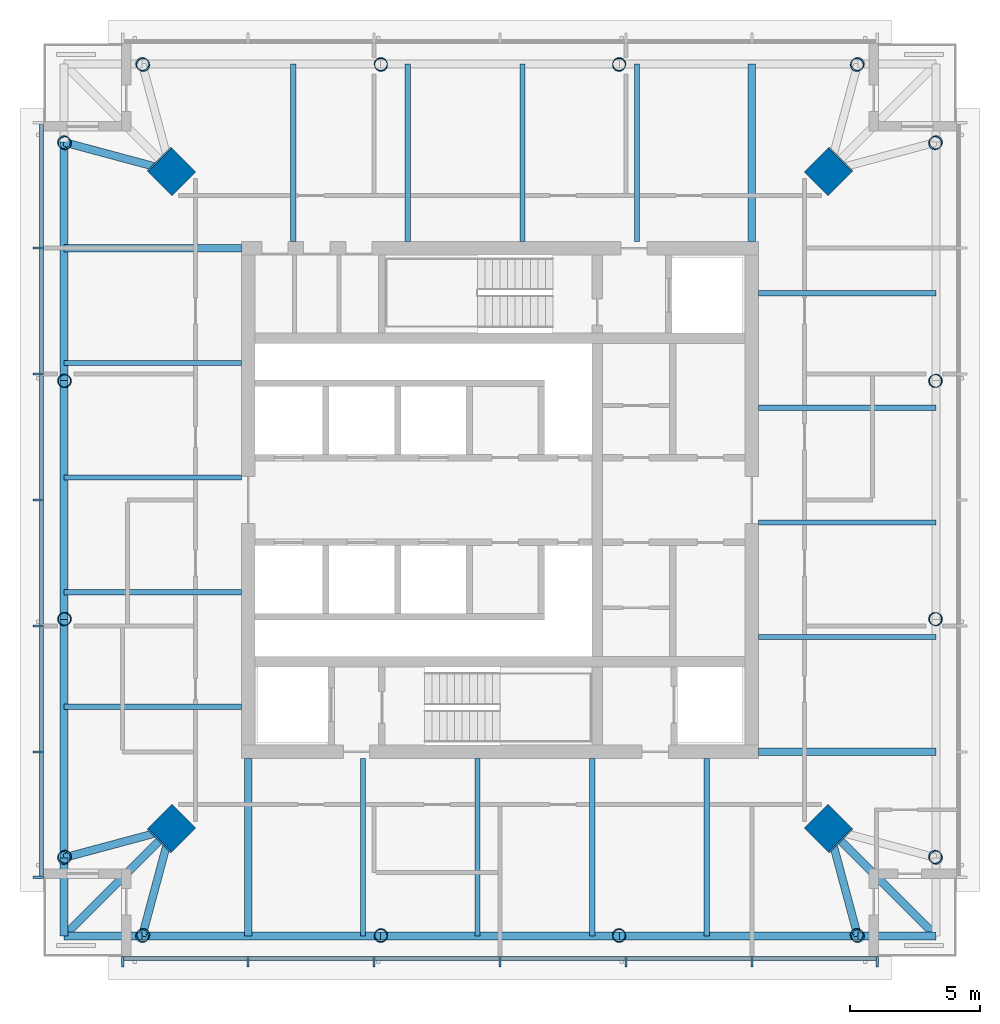
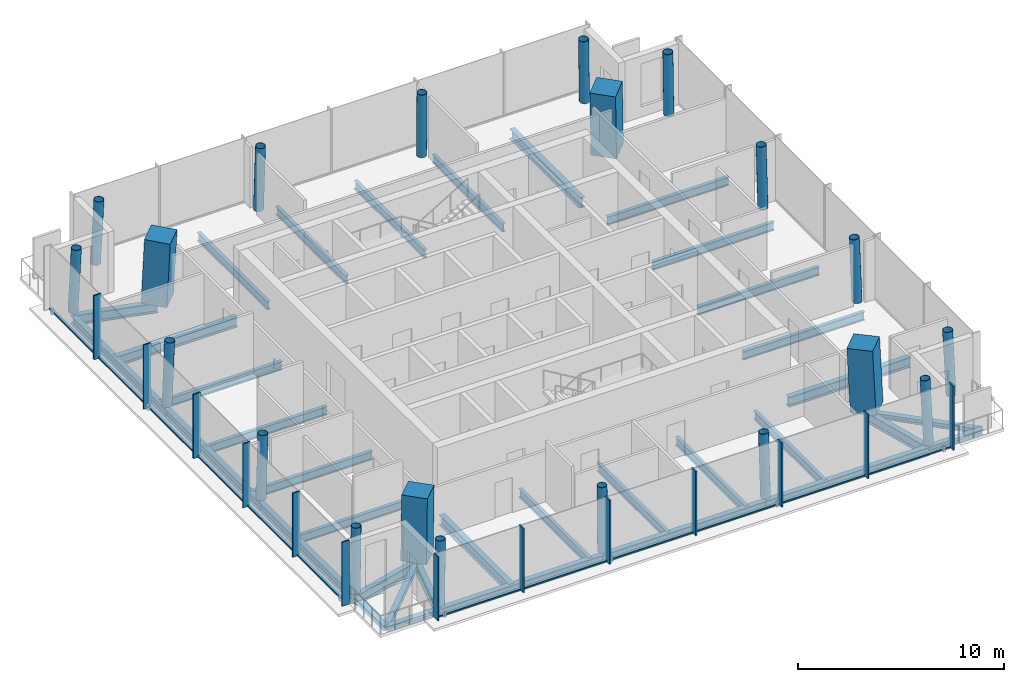
# One storey, part 1 of 11: 35 beams, 25 members, 20 columns, 2 elements without a shape of their own.
"""IFC4 building model written with IfcOpenShell, lengths in metres."""

from ifc_helpers import new_model, si_unit, direction, frame, origin, origin_2d, place, context, subcontext, project, spatial, rectangle, hollow_circle, i_section, extrude, material, material_profile, profile_set, type_object, element, aggregate, save


model = new_model("IFC4")

# Units and contexts
model_context = context("Model", 3, precision=1e-05, world=origin(), true_north=direction((0.0, 1.0)))
body_context = subcontext(model_context, "Body", "Model", "MODEL_VIEW")
ifc_project = project(units=[si_unit("LENGTHUNIT", "METRE"), si_unit("AREAUNIT", "SQUARE_METRE"), si_unit("VOLUMEUNIT", "CUBIC_METRE"), si_unit("PLANEANGLEUNIT", "RADIAN"), si_unit("MASSUNIT", "GRAM", prefix="KILO")], contexts=[model_context])

# Site, building, storey
site_placement = place(None, origin())
site = spatial("IfcSite", under=ifc_project, at=site_placement, CompositionType="ELEMENT")
building_placement = place(site_placement, origin())
building = spatial("IfcBuilding", under=site, at=building_placement, Name="Ostroluk Exchange", CompositionType="ELEMENT")
storey_placement = place(building_placement, frame((0.0, 0.0, 249.0)))
storey = spatial("IfcBuildingStorey", under=building, at=storey_placement, Name="L64", CompositionType="ELEMENT", Elevation=249.0)

# Columns
ifc_material_1 = material(Name="Concrete C50/60", Category="concrete")
ifc_material_profile_1 = material_profile(ifc_material_1, rectangle(XDim=1.300048828125, YDim=1.300048828125, at=origin_2d()), Name="RC 1300x1300")
ifc_profile_set_1 = profile_set([ifc_material_profile_1], Name="Concrete C50/60")
column_type_1 = type_object("IfcColumnType", Name="Mega column RC 1300x1300", PredefinedType="COLUMN", material=ifc_profile_set_1)
for number, where, z_axis, x_axis, name in (
    (1, (57.6142578125, 58.6142578125, 0.0), (-0.031898107953, -0.031898107953, 0.998981992539), (0.707106781187, -0.707106781187, 0.0), "T1 mega column NE"),
    (2, (32.3857421875, 58.6142578125, 0.0), (0.031898107953, -0.031898107953, 0.998981992539), (0.707106781187, 0.707106781187, 0.0), "T1 mega column NW"),
    (3, (32.3857421875, 33.3857421875, 0.0), (0.031898107953, 0.031898107953, 0.998981992539), (-0.707106781187, 0.707106781187, 0.0), "T1 mega column SW"),
    (4, (57.6142578125, 33.3857421875, 0.0), (-0.031898107953, 0.031898107953, 0.998981992539), (-0.707106781187, -0.707106781187, 0.0), "T1 mega column SE"),
):
    element("IfcColumn", number, at=place(storey_placement, frame(where, z_axis=z_axis, x_axis=x_axis)), inside=storey, type_object=column_type_1, Name=name, PredefinedType="COLUMN", context=body_context, shape_type="SweptSolid", body=[
        extrude(rectangle(XDim=1.300048828125, YDim=1.300048828125, at=origin_2d()), origin(), (0.0, 0.0, 1.0), 3.803955078125),
    ])
ifc_material_2 = material(Name="Steel S460", Category="steel")
ifc_material_profile_2 = material_profile(ifc_material_2, hollow_circle(Radius=0.25390625, WallThickness=0.02001953125, at=origin_2d()), Name="CHS 508x20")
ifc_profile_set_2 = profile_set([ifc_material_profile_2], Name="Steel S460")
column_type_2 = type_object("IfcColumnType", Name="Perimeter column CHS 508x20", PredefinedType="COLUMN", material=ifc_profile_set_2)
for number, where, z_axis, x_axis, name in (
    (5, (61.71435546875, 32.28564453125, 0.0), (-0.031962158256, 0.031962158256, 0.998977898093), (-0.707106781187, -0.707106781187, 0.0), "T1 east face column E0"),
    (6, (61.71435546875, 59.71435546875, 0.0), (-0.031962158256, -0.031962158256, 0.998977898093), (0.707106781187, -0.707106781187, 0.0), "T1 east face column E1"),
):
    element("IfcColumn", number, at=place(storey_placement, frame(where, z_axis=z_axis, x_axis=x_axis)), inside=storey, type_object=column_type_2, Name=name, PredefinedType="COLUMN", context=body_context, shape_type="SweptSolid", body=[
        extrude(hollow_circle(Radius=0.25390625, WallThickness=0.02001953125, at=origin_2d()), origin(), (0.0, 0.0, 1.0), 3.803955078125),
    ])
for number, where, z_axis, x_axis, name in (
    (7, (61.71435546875, 41.428466796875, 0.0), (-0.031976680097, 0.010658893366, 0.999431778523), (-0.316227766017, -0.948683298051, 0.0), "T1 east face column I1"),
    (8, (61.71435546875, 50.571533203125, 0.0), (-0.031976680097, -0.010658893366, 0.999431778523), (0.316227766017, -0.948683298051, 0.0), "T1 east face column I2"),
):
    element("IfcColumn", number, at=place(storey_placement, frame(where, z_axis=z_axis, x_axis=x_axis)), inside=storey, type_object=column_type_2, Name=name, PredefinedType="COLUMN", context=body_context, shape_type="SweptSolid", body=[
        extrude(hollow_circle(Radius=0.25390625, WallThickness=0.02001953125, at=origin_2d()), origin(), (0.0, 0.0, 1.0), 3.80224609375),
    ])
for number, where, z_axis, x_axis, name in (
    (9, (58.71435546875, 62.71435546875, 0.0), (-0.031962158256, -0.031962158256, 0.998977898093), (0.707106781187, -0.707106781187, 0.0), "T1 north face column E0"),
    (10, (31.28564453125, 62.71435546875, 0.0), (0.031962158256, -0.031962158256, 0.998977898093), (0.707106781187, 0.707106781187, 0.0), "T1 north face column E1"),
):
    element("IfcColumn", number, at=place(storey_placement, frame(where, z_axis=z_axis, x_axis=x_axis)), inside=storey, type_object=column_type_2, Name=name, PredefinedType="COLUMN", context=body_context, shape_type="SweptSolid", body=[
        extrude(hollow_circle(Radius=0.25390625, WallThickness=0.02001953125, at=origin_2d()), origin(), (0.0, 0.0, 1.0), 3.803955078125),
    ])
for number, where, z_axis, x_axis, name in (
    (11, (49.571533203125, 62.71435546875, 0.0), (-0.010658893366, -0.031976680097, 0.999431778523), (0.948683298051, -0.316227766017, 0.0), "T1 north face column I1"),
    (12, (40.428466796875, 62.71435546875, 0.0), (0.010658893366, -0.031976680097, 0.999431778523), (0.948683298051, 0.316227766017, 0.0), "T1 north face column I2"),
):
    element("IfcColumn", number, at=place(storey_placement, frame(where, z_axis=z_axis, x_axis=x_axis)), inside=storey, type_object=column_type_2, Name=name, PredefinedType="COLUMN", context=body_context, shape_type="SweptSolid", body=[
        extrude(hollow_circle(Radius=0.25390625, WallThickness=0.02001953125, at=origin_2d()), origin(), (0.0, 0.0, 1.0), 3.80224609375),
    ])
for number, where, z_axis, x_axis, name in (
    (13, (28.28564453125, 59.71435546875, 0.0), (0.031962158256, -0.031962158256, 0.998977898093), (0.707106781187, 0.707106781187, 0.0), "T1 west face column E0"),
    (14, (28.28564453125, 32.28564453125, 0.0), (0.031962158256, 0.031962158256, 0.998977898093), (-0.707106781187, 0.707106781187, 0.0), "T1 west face column E1"),
):
    element("IfcColumn", number, at=place(storey_placement, frame(where, z_axis=z_axis, x_axis=x_axis)), inside=storey, type_object=column_type_2, Name=name, PredefinedType="COLUMN", context=body_context, shape_type="SweptSolid", body=[
        extrude(hollow_circle(Radius=0.25390625, WallThickness=0.02001953125, at=origin_2d()), origin(), (0.0, 0.0, 1.0), 3.803955078125),
    ])
for number, where, z_axis, x_axis, name in (
    (15, (28.28564453125, 50.571533203125, 0.0), (0.031976680097, -0.010658893366, 0.999431778523), (0.316227766017, 0.948683298051, 0.0), "T1 west face column I1"),
    (16, (28.28564453125, 41.428466796875, 0.0), (0.031976680097, 0.010658893366, 0.999431778523), (-0.316227766017, 0.948683298051, 0.0), "T1 west face column I2"),
):
    element("IfcColumn", number, at=place(storey_placement, frame(where, z_axis=z_axis, x_axis=x_axis)), inside=storey, type_object=column_type_2, Name=name, PredefinedType="COLUMN", context=body_context, shape_type="SweptSolid", body=[
        extrude(hollow_circle(Radius=0.25390625, WallThickness=0.02001953125, at=origin_2d()), origin(), (0.0, 0.0, 1.0), 3.80224609375),
    ])
for number, where, z_axis, x_axis, name in (
    (17, (31.28564453125, 29.28564453125, 0.0), (0.031962158256, 0.031962158256, 0.998977898093), (-0.707106781187, 0.707106781187, 0.0), "T1 south face column E0"),
    (18, (58.71435546875, 29.28564453125, 0.0), (-0.031962158256, 0.031962158256, 0.998977898093), (-0.707106781187, -0.707106781187, 0.0), "T1 south face column E1"),
):
    element("IfcColumn", number, at=place(storey_placement, frame(where, z_axis=z_axis, x_axis=x_axis)), inside=storey, type_object=column_type_2, Name=name, PredefinedType="COLUMN", context=body_context, shape_type="SweptSolid", body=[
        extrude(hollow_circle(Radius=0.25390625, WallThickness=0.02001953125, at=origin_2d()), origin(), (0.0, 0.0, 1.0), 3.803955078125),
    ])
for number, where, z_axis, x_axis, name in (
    (19, (40.428466796875, 29.28564453125, 0.0), (0.010658893366, 0.031976680097, 0.999431778523), (-0.948683298051, 0.316227766017, 0.0), "T1 south face column I1"),
    (20, (49.571533203125, 29.28564453125, 0.0), (-0.010658893366, 0.031976680097, 0.999431778523), (-0.948683298051, -0.316227766017, 0.0), "T1 south face column I2"),
):
    element("IfcColumn", number, at=place(storey_placement, frame(where, z_axis=z_axis, x_axis=x_axis)), inside=storey, type_object=column_type_2, Name=name, PredefinedType="COLUMN", context=body_context, shape_type="SweptSolid", body=[
        extrude(hollow_circle(Radius=0.25390625, WallThickness=0.02001953125, at=origin_2d()), origin(), (0.0, 0.0, 1.0), 3.80224609375),
    ])

# Beams
ifc_material_3 = material(Name="Steel S355", Category="steel")
ifc_material_profile_3 = material_profile(ifc_material_3, i_section(OverallWidth=0.300048828125, OverallDepth=0.300048828125, WebThickness=0.010986328125, FlangeThickness=0.01904296875, FilletRadius=0.027099609375, at=origin_2d()), Name="HEB 300")
ifc_profile_set_3 = profile_set([ifc_material_profile_3], Name="Steel S355")
beam_type_1 = type_object("IfcBeamType", Name="Balcony beam HEB 300", PredefinedType="BEAM", material=ifc_profile_set_3)
for number, where, z_axis, x_axis, name in (
    (21, (28.28564453125, 32.28564453125, -0.330078125), (0.0, -1.0, 0.0), (1.0, 0.0, 0.0), "T1 west balcony beam a"),
    (22, (31.28564453125, 29.28564453125, -0.330078125), (-1.0, 0.0, 0.0), (0.0, -1.0, 0.0), "T1 west balcony beam b"),
):
    element("IfcBeam", number, at=place(storey_placement, frame(where, z_axis=z_axis, x_axis=x_axis)), inside=storey, type_object=beam_type_1, Name=name, PredefinedType="BEAM", context=body_context, shape_type="SweptSolid", body=[
        extrude(i_section(OverallWidth=0.300048828125, OverallDepth=0.300048828125, WebThickness=0.010986328125, FlangeThickness=0.01904296875, FilletRadius=0.027099609375, at=origin_2d()), origin(), (0.0, 0.0, 1.0), 3.0),
    ])
beam_1_placement = place(storey_placement, frame((32.3857421875, 33.3857421875, -0.330078125), z_axis=(-0.707106781187, -0.707106781187, 0.0), x_axis=(0.707106781187, -0.707106781187, 0.0)))
element("IfcBeam", 23, at=beam_1_placement, inside=storey, type_object=beam_type_1, Name="T1 west balcony beam c", PredefinedType="BEAM", context=body_context, shape_type="SweptSolid", body=[
    extrude(i_section(OverallWidth=0.300048828125, OverallDepth=0.300048828125, WebThickness=0.010986328125, FlangeThickness=0.01904296875, FilletRadius=0.027099609375, at=origin_2d()), origin(), (0.0, 0.0, 1.0), 5.79833984375),
])
beam_2_placement = place(storey_placement, frame((58.71435546875, 29.28564453125, -0.330078125), z_axis=(1.0, 0.0, 0.0), x_axis=(0.0, 1.0, 0.0)))
element("IfcBeam", 24, at=beam_2_placement, inside=storey, type_object=beam_type_1, Name="T1 south balcony beam a", PredefinedType="BEAM", context=body_context, shape_type="SweptSolid", body=[
    extrude(i_section(OverallWidth=0.300048828125, OverallDepth=0.300048828125, WebThickness=0.010986328125, FlangeThickness=0.01904296875, FilletRadius=0.027099609375, at=origin_2d()), origin(), (0.0, 0.0, 1.0), 3.0),
])
beam_3_placement = place(storey_placement, frame((57.6142578125, 33.3857421875, -0.330078125), z_axis=(0.707106781187, -0.707106781187, 0.0), x_axis=(0.707106781187, 0.707106781187, 0.0)))
element("IfcBeam", 25, at=beam_3_placement, inside=storey, type_object=beam_type_1, Name="T1 south balcony beam c", PredefinedType="BEAM", context=body_context, shape_type="SweptSolid", body=[
    extrude(i_section(OverallWidth=0.300048828125, OverallDepth=0.300048828125, WebThickness=0.010986328125, FlangeThickness=0.01904296875, FilletRadius=0.027099609375, at=origin_2d()), origin(), (0.0, 0.0, 1.0), 5.79833984375),
])
ifc_material_4 = material(Name="Steel S355", Category="steel")
ifc_material_profile_4 = material_profile(ifc_material_4, i_section(OverallWidth=0.300048828125, OverallDepth=0.60009765625, WebThickness=0.015380859375, FlangeThickness=0.030029296875, FilletRadius=0.027099609375, at=origin_2d()), Name="HEB 600")
ifc_profile_set_4 = profile_set([ifc_material_profile_4], Name="Steel S355")
beam_type_2 = type_object("IfcBeamType", Name="Corner edge beam HEB 600", PredefinedType="SPANDREL", material=ifc_profile_set_4)
for number, where, z_axis, x_axis, name in (
    (26, (32.3857421875, 58.6142578125, -0.47998046875), (-0.965838624319, 0.259144268261, 0.0), (-0.259144268261, -0.965838624319, 0.0), "T1 north corner edge beam b"),
    (27, (32.3857421875, 33.3857421875, -0.47998046875), (-0.965838624319, -0.259144268261, 0.0), (0.259144268261, -0.965838624319, 0.0), "T1 west corner edge beam a"),
    (28, (32.3857421875, 33.3857421875, -0.47998046875), (-0.259144268261, -0.965838624319, 0.0), (0.965838624319, -0.259144268261, 0.0), "T1 west corner edge beam b"),
    (29, (57.6142578125, 33.3857421875, -0.47998046875), (0.259144268261, -0.965838624319, 0.0), (0.965838624319, 0.259144268261, 0.0), "T1 south corner edge beam a"),
):
    element("IfcBeam", number, at=place(storey_placement, frame(where, z_axis=z_axis, x_axis=x_axis)), inside=storey, type_object=beam_type_2, Name=name, PredefinedType="SPANDREL", context=body_context, shape_type="SweptSolid", body=[
        extrude(i_section(OverallWidth=0.300048828125, OverallDepth=0.60009765625, WebThickness=0.015380859375, FlangeThickness=0.030029296875, FilletRadius=0.027099609375, at=origin_2d()), origin(), (0.0, 0.0, 1.0), 4.2451171875),
    ])
ifc_material_5 = material(Name="Steel S355", Category="steel")
ifc_material_profile_5 = material_profile(ifc_material_5, i_section(OverallWidth=0.199951171875, OverallDepth=0.5, WebThickness=0.01025390625, FlangeThickness=0.01611328125, FilletRadius=0.02099609375, at=origin_2d()), Name="IPE 500")
ifc_profile_set_5 = profile_set([ifc_material_profile_5], Name="Steel S355")
beam_type_3 = type_object("IfcBeamType", Name="Floor beam IPE 500", PredefinedType="BEAM", material=ifc_profile_set_5)
for number, where, z_axis, x_axis, name in (
    (30, (54.89990234375, 40.744140625, -0.429931640625), (1.0, 0.0, 0.0), (0.0, 1.0, 0.0), "T1 east floor beam 1"),
    (31, (54.89990234375, 45.13818359375, -0.429931640625), (1.0, 0.0, 0.0), (0.0, 1.0, 0.0), "T1 east floor beam 2"),
    (32, (54.89990234375, 49.5322265625, -0.429931640625), (1.0, 0.0, 0.0), (0.0, 1.0, 0.0), "T1 east floor beam 3"),
    (33, (54.89990234375, 53.92626953125, -0.429931640625), (1.0, 0.0, 0.0), (0.0, 1.0, 0.0), "T1 east floor beam 4"),
    (34, (50.255859375, 55.89990234375, -0.429931640625), (0.0, 1.0, 0.0), (-1.0, 0.0, 0.0), "T1 north floor beam 1"),
    (35, (45.86181640625, 55.89990234375, -0.429931640625), (0.0, 1.0, 0.0), (-1.0, 0.0, 0.0), "T1 north floor beam 2"),
    (36, (41.4677734375, 55.89990234375, -0.429931640625), (0.0, 1.0, 0.0), (-1.0, 0.0, 0.0), "T1 north floor beam 3"),
    (37, (37.07373046875, 55.89990234375, -0.429931640625), (0.0, 1.0, 0.0), (-1.0, 0.0, 0.0), "T1 north floor beam 4"),
    (38, (35.10009765625, 51.255859375, -0.429931640625), (-1.0, 0.0, 0.0), (0.0, -1.0, 0.0), "T1 west floor beam 1"),
    (39, (35.10009765625, 46.86181640625, -0.429931640625), (-1.0, 0.0, 0.0), (0.0, -1.0, 0.0), "T1 west floor beam 2"),
    (40, (35.10009765625, 42.4677734375, -0.429931640625), (-1.0, 0.0, 0.0), (0.0, -1.0, 0.0), "T1 west floor beam 3"),
    (41, (35.10009765625, 38.07373046875, -0.429931640625), (-1.0, 0.0, 0.0), (0.0, -1.0, 0.0), "T1 west floor beam 4"),
    (42, (39.744140625, 36.10009765625, -0.429931640625), (0.0, -1.0, 0.0), (1.0, 0.0, 0.0), "T1 south floor beam 1"),
    (43, (44.13818359375, 36.10009765625, -0.429931640625), (0.0, -1.0, 0.0), (1.0, 0.0, 0.0), "T1 south floor beam 2"),
    (44, (48.5322265625, 36.10009765625, -0.429931640625), (0.0, -1.0, 0.0), (1.0, 0.0, 0.0), "T1 south floor beam 3"),
    (45, (52.92626953125, 36.10009765625, -0.429931640625), (0.0, -1.0, 0.0), (1.0, 0.0, 0.0), "T1 south floor beam 4"),
):
    element("IfcBeam", number, at=place(storey_placement, frame(where, z_axis=z_axis, x_axis=x_axis)), inside=storey, type_object=beam_type_3, Name=name, PredefinedType="BEAM", context=body_context, shape_type="SweptSolid", body=[
        extrude(i_section(OverallWidth=0.199951171875, OverallDepth=0.5, WebThickness=0.01025390625, FlangeThickness=0.01611328125, FilletRadius=0.02099609375, at=origin_2d()), origin(), (0.0, 0.0, 1.0), 6.814453125),
    ])
ifc_material_6 = material(Name="Steel S355", Category="steel")
ifc_material_profile_6 = material_profile(ifc_material_6, i_section(OverallWidth=0.300048828125, OverallDepth=0.60009765625, WebThickness=0.015380859375, FlangeThickness=0.030029296875, FilletRadius=0.027099609375, at=origin_2d()), Name="HEB 600")
ifc_profile_set_6 = profile_set([ifc_material_profile_6], Name="Steel S355")
beam_type_4 = type_object("IfcBeamType", Name="Girder HEB 600", PredefinedType="BEAM", material=ifc_profile_set_6)
for number, where, z_axis, x_axis, name in (
    (46, (54.64990234375, 55.89990234375, -0.47998046875), (0.0, 1.0, 0.0), (-1.0, 0.0, 0.0), "T1 east girder"),
    (47, (35.10009765625, 55.64990234375, -0.47998046875), (-1.0, 0.0, 0.0), (0.0, -1.0, 0.0), "T1 north girder"),
    (48, (35.35009765625, 36.10009765625, -0.47998046875), (0.0, -1.0, 0.0), (1.0, 0.0, 0.0), "T1 west girder"),
    (49, (54.89990234375, 36.35009765625, -0.47998046875), (1.0, 0.0, 0.0), (0.0, 1.0, 0.0), "T1 south girder"),
):
    element("IfcBeam", number, at=place(storey_placement, frame(where, z_axis=z_axis, x_axis=x_axis)), inside=storey, type_object=beam_type_4, Name=name, PredefinedType="BEAM", context=body_context, shape_type="SweptSolid", body=[
        extrude(i_section(OverallWidth=0.300048828125, OverallDepth=0.60009765625, WebThickness=0.015380859375, FlangeThickness=0.030029296875, FilletRadius=0.027099609375, at=origin_2d()), origin(), (0.0, 0.0, 1.0), 6.814453125),
    ])
ifc_material_7 = material(Name="Steel S355", Category="steel")
ifc_material_profile_7 = material_profile(ifc_material_7, i_section(OverallWidth=0.300048828125, OverallDepth=0.5, WebThickness=0.014404296875, FlangeThickness=0.028076171875, FilletRadius=0.027099609375, at=origin_2d()), Name="HEB 500")
ifc_profile_set_7 = profile_set([ifc_material_profile_7], Name="Steel S355")
beam_type_5 = type_object("IfcBeamType", Name="Moment-connected edge beam HEB 500", PredefinedType="SPANDREL", material=ifc_profile_set_7)
beam_4_placement = place(storey_placement, frame((28.28564453125, 59.71435546875, -0.429931640625), z_axis=(0.0, -1.0, 0.0), x_axis=(1.0, 0.0, 0.0)))
element("IfcBeam", 50, at=beam_4_placement, inside=storey, type_object=beam_type_5, Name="T1 west edge beam 1", PredefinedType="SPANDREL", context=body_context, shape_type="SweptSolid", body=[
    extrude(i_section(OverallWidth=0.300048828125, OverallDepth=0.5, WebThickness=0.014404296875, FlangeThickness=0.028076171875, FilletRadius=0.027099609375, at=origin_2d()), origin(), (0.0, 0.0, 1.0), 9.142822265625),
])
beam_5_placement = place(storey_placement, frame((28.28564453125, 50.571533203125, -0.429931640625), z_axis=(0.0, -1.0, 0.0), x_axis=(1.0, 0.0, 0.0)))
element("IfcBeam", 51, at=beam_5_placement, inside=storey, type_object=beam_type_5, Name="T1 west edge beam 2", PredefinedType="SPANDREL", context=body_context, shape_type="SweptSolid", body=[
    extrude(i_section(OverallWidth=0.300048828125, OverallDepth=0.5, WebThickness=0.014404296875, FlangeThickness=0.028076171875, FilletRadius=0.027099609375, at=origin_2d()), origin(), (0.0, 0.0, 1.0), 9.14306640625),
])
for number, where, z_axis, x_axis, name in (
    (52, (28.28564453125, 41.428466796875, -0.429931640625), (0.0, -1.0, 0.0), (1.0, 0.0, 0.0), "T1 west edge beam 3"),
    (53, (31.28564453125, 29.28564453125, -0.429931640625), (1.0, 0.0, 0.0), (0.0, 1.0, 0.0), "T1 south edge beam 1"),
):
    element("IfcBeam", number, at=place(storey_placement, frame(where, z_axis=z_axis, x_axis=x_axis)), inside=storey, type_object=beam_type_5, Name=name, PredefinedType="SPANDREL", context=body_context, shape_type="SweptSolid", body=[
        extrude(i_section(OverallWidth=0.300048828125, OverallDepth=0.5, WebThickness=0.014404296875, FlangeThickness=0.028076171875, FilletRadius=0.027099609375, at=origin_2d()), origin(), (0.0, 0.0, 1.0), 9.142822265625),
    ])
beam_6_placement = place(storey_placement, frame((40.428466796875, 29.28564453125, -0.429931640625), z_axis=(1.0, 0.0, 0.0), x_axis=(0.0, 1.0, 0.0)))
element("IfcBeam", 54, at=beam_6_placement, inside=storey, type_object=beam_type_5, Name="T1 south edge beam 2", PredefinedType="SPANDREL", context=body_context, shape_type="SweptSolid", body=[
    extrude(i_section(OverallWidth=0.300048828125, OverallDepth=0.5, WebThickness=0.014404296875, FlangeThickness=0.028076171875, FilletRadius=0.027099609375, at=origin_2d()), origin(), (0.0, 0.0, 1.0), 9.14306640625),
])
beam_7_placement = place(storey_placement, frame((49.571533203125, 29.28564453125, -0.429931640625), z_axis=(1.0, 0.0, 0.0), x_axis=(0.0, 1.0, 0.0)))
element("IfcBeam", 55, at=beam_7_placement, inside=storey, type_object=beam_type_5, Name="T1 south edge beam 3", PredefinedType="SPANDREL", context=body_context, shape_type="SweptSolid", body=[
    extrude(i_section(OverallWidth=0.300048828125, OverallDepth=0.5, WebThickness=0.014404296875, FlangeThickness=0.028076171875, FilletRadius=0.027099609375, at=origin_2d()), origin(), (0.0, 0.0, 1.0), 9.142822265625),
])

# Curtain wall, members
ifc_material_8 = material(Name="Laminated clear glass", Category="glass")
curtain_wall_type = type_object("IfcCurtainWallType", Name="Office tower facade", PredefinedType="USERDEFINED", material=ifc_material_8)
curtain_wall_1_placement = place(storey_placement, origin())
curtain_wall_1 = element("IfcCurtainWall", 56, at=curtain_wall_1_placement, inside=storey, type_object=curtain_wall_type, Name="Office tower south facade L64", ObjectType="UNITISED CURTAIN WALL", PredefinedType="USERDEFINED")
ifc_material_9 = material(Name="Aluminium mullion", Category="aluminium")
ifc_material_profile_8 = material_profile(ifc_material_9, rectangle(XDim=0.14990234375, YDim=0.080078125, at=origin_2d()), Name="Sill transom 80 x 150")
ifc_profile_set_8 = profile_set([ifc_material_profile_8], Name="Aluminium mullion")
member_type_1 = type_object("IfcMemberType", Name="Sill transom 80 x 150", PredefinedType="USERDEFINED", material=ifc_profile_set_8)
member_1_placement = place(storey_placement, frame((30.580078125, 28.425048828125, 0.0400390625), z_axis=(1.0, 0.0, 0.0), x_axis=(0.0, 1.0, 0.0)))
member_1 = element("IfcMember", 57, at=member_1_placement, type_object=member_type_1, Name="CW-O1 transom 1.1", ObjectType="TRANSOM", PredefinedType="USERDEFINED", context=body_context, shape_type="SweptSolid", body=[
    extrude(rectangle(XDim=0.14990234375, YDim=0.080078125, at=origin_2d()), origin(), (0.0, 0.0, 1.0), 4.713134765625),
])
member_2_placement = place(storey_placement, frame((35.373291015625, 28.425048828125, 0.0400390625), z_axis=(1.0, 0.0, 0.0), x_axis=(0.0, 1.0, 0.0)))
member_2 = element("IfcMember", 58, at=member_2_placement, type_object=member_type_1, Name="CW-O1 transom 2.1", ObjectType="TRANSOM", PredefinedType="USERDEFINED", context=body_context, shape_type="SweptSolid", body=[
    extrude(rectangle(XDim=0.14990234375, YDim=0.080078125, at=origin_2d()), origin(), (0.0, 0.0, 1.0), 4.75341796875),
])
member_3_placement = place(storey_placement, frame((40.206787109375, 28.425048828125, 0.0400390625), z_axis=(1.0, 0.0, 0.0), x_axis=(0.0, 1.0, 0.0)))
member_3 = element("IfcMember", 59, at=member_3_placement, type_object=member_type_1, Name="CW-O1 transom 3.1", ObjectType="TRANSOM", PredefinedType="USERDEFINED", context=body_context, shape_type="SweptSolid", body=[
    extrude(rectangle(XDim=0.14990234375, YDim=0.080078125, at=origin_2d()), origin(), (0.0, 0.0, 1.0), 4.753173828125),
])
member_4_placement = place(storey_placement, frame((45.0400390625, 28.425048828125, 0.0400390625), z_axis=(1.0, 0.0, 0.0), x_axis=(0.0, 1.0, 0.0)))
member_4 = element("IfcMember", 60, at=member_4_placement, type_object=member_type_1, Name="CW-O1 transom 4.1", ObjectType="TRANSOM", PredefinedType="USERDEFINED", context=body_context, shape_type="SweptSolid", body=[
    extrude(rectangle(XDim=0.14990234375, YDim=0.080078125, at=origin_2d()), origin(), (0.0, 0.0, 1.0), 4.753173828125),
])
member_5_placement = place(storey_placement, frame((49.873291015625, 28.425048828125, 0.0400390625), z_axis=(1.0, 0.0, 0.0), x_axis=(0.0, 1.0, 0.0)))
member_5 = element("IfcMember", 61, at=member_5_placement, type_object=member_type_1, Name="CW-O1 transom 5.1", ObjectType="TRANSOM", PredefinedType="USERDEFINED", context=body_context, shape_type="SweptSolid", body=[
    extrude(rectangle(XDim=0.14990234375, YDim=0.080078125, at=origin_2d()), origin(), (0.0, 0.0, 1.0), 4.75341796875),
])
member_6_placement = place(storey_placement, frame((54.706787109375, 28.425048828125, 0.0400390625), z_axis=(1.0, 0.0, 0.0), x_axis=(0.0, 1.0, 0.0)))
member_6 = element("IfcMember", 62, at=member_6_placement, type_object=member_type_1, Name="CW-O1 transom 6.1", ObjectType="TRANSOM", PredefinedType="USERDEFINED", context=body_context, shape_type="SweptSolid", body=[
    extrude(rectangle(XDim=0.14990234375, YDim=0.080078125, at=origin_2d()), origin(), (0.0, 0.0, 1.0), 4.713134765625),
])

curtain_wall_2_placement = place(storey_placement, origin())
curtain_wall_2 = element("IfcCurtainWall", 63, at=curtain_wall_2_placement, inside=storey, type_object=curtain_wall_type, Name="Office tower west facade L64", ObjectType="UNITISED CURTAIN WALL", PredefinedType="USERDEFINED")
member_7_placement = place(storey_placement, frame((27.425048828125, 60.419921875, 0.0400390625), z_axis=(0.0, -1.0, 0.0), x_axis=(1.0, 0.0, 0.0)))
member_7 = element("IfcMember", 64, at=member_7_placement, type_object=member_type_1, Name="CW-O1 transom 1.1", ObjectType="TRANSOM", PredefinedType="USERDEFINED", context=body_context, shape_type="SweptSolid", body=[
    extrude(rectangle(XDim=0.14990234375, YDim=0.080078125, at=origin_2d()), origin(), (0.0, 0.0, 1.0), 4.713134765625),
])
member_8_placement = place(storey_placement, frame((27.425048828125, 55.626708984375, 0.0400390625), z_axis=(0.0, -1.0, 0.0), x_axis=(1.0, 0.0, 0.0)))
member_8 = element("IfcMember", 65, at=member_8_placement, type_object=member_type_1, Name="CW-O1 transom 2.1", ObjectType="TRANSOM", PredefinedType="USERDEFINED", context=body_context, shape_type="SweptSolid", body=[
    extrude(rectangle(XDim=0.14990234375, YDim=0.080078125, at=origin_2d()), origin(), (0.0, 0.0, 1.0), 4.75341796875),
])
member_9_placement = place(storey_placement, frame((27.425048828125, 50.793212890625, 0.0400390625), z_axis=(0.0, -1.0, 0.0), x_axis=(1.0, 0.0, 0.0)))
member_9 = element("IfcMember", 66, at=member_9_placement, type_object=member_type_1, Name="CW-O1 transom 3.1", ObjectType="TRANSOM", PredefinedType="USERDEFINED", context=body_context, shape_type="SweptSolid", body=[
    extrude(rectangle(XDim=0.14990234375, YDim=0.080078125, at=origin_2d()), origin(), (0.0, 0.0, 1.0), 4.753173828125),
])
member_10_placement = place(storey_placement, frame((27.425048828125, 45.9599609375, 0.0400390625), z_axis=(0.0, -1.0, 0.0), x_axis=(1.0, 0.0, 0.0)))
member_10 = element("IfcMember", 67, at=member_10_placement, type_object=member_type_1, Name="CW-O1 transom 4.1", ObjectType="TRANSOM", PredefinedType="USERDEFINED", context=body_context, shape_type="SweptSolid", body=[
    extrude(rectangle(XDim=0.14990234375, YDim=0.080078125, at=origin_2d()), origin(), (0.0, 0.0, 1.0), 4.753173828125),
])
member_11_placement = place(storey_placement, frame((27.425048828125, 41.126708984375, 0.0400390625), z_axis=(0.0, -1.0, 0.0), x_axis=(1.0, 0.0, 0.0)))
member_11 = element("IfcMember", 68, at=member_11_placement, type_object=member_type_1, Name="CW-O1 transom 5.1", ObjectType="TRANSOM", PredefinedType="USERDEFINED", context=body_context, shape_type="SweptSolid", body=[
    extrude(rectangle(XDim=0.14990234375, YDim=0.080078125, at=origin_2d()), origin(), (0.0, 0.0, 1.0), 4.75341796875),
])
member_12_placement = place(storey_placement, frame((27.425048828125, 36.293212890625, 0.0400390625), z_axis=(0.0, -1.0, 0.0), x_axis=(1.0, 0.0, 0.0)))
member_12 = element("IfcMember", 69, at=member_12_placement, type_object=member_type_1, Name="CW-O1 transom 6.1", ObjectType="TRANSOM", PredefinedType="USERDEFINED", context=body_context, shape_type="SweptSolid", body=[
    extrude(rectangle(XDim=0.14990234375, YDim=0.080078125, at=origin_2d()), origin(), (0.0, 0.0, 1.0), 4.713134765625),
])

# Member
ifc_material_10 = material(Name="Aluminium mullion with limestone facing", Category="masonry")
ifc_material_profile_9 = material_profile(ifc_material_10, rectangle(XDim=0.39990234375, YDim=0.080078125, at=origin_2d()), Name="Tracery mullion 80 x 400")
ifc_profile_set_9 = profile_set([ifc_material_profile_9], Name="Aluminium mullion with limestone facing")
member_type_2 = type_object("IfcMemberType", Name="Tracery mullion 80 x 400", PredefinedType="MULLION", material=ifc_profile_set_9)
member_13_placement = place(storey_placement, frame((30.5400390625, 28.300048828125, 0.0), z_axis=(0.0, 0.0, 1.0), x_axis=(0.0, 1.0, 0.0)))
member_13 = element("IfcMember", 70, at=member_13_placement, type_object=member_type_2, Name="CW-O1 mullion 1", PredefinedType="MULLION", context=body_context, shape_type="SweptSolid", body=[
    extrude(rectangle(XDim=0.39990234375, YDim=0.080078125, at=origin_2d()), origin(), (0.0, 0.0, 1.0), 3.800048828125),
])

member_14_placement = place(storey_placement, frame((35.333251953125, 28.300048828125, 0.0), z_axis=(0.0, 0.0, 1.0), x_axis=(0.0, 1.0, 0.0)))
member_14 = element("IfcMember", 71, at=member_14_placement, type_object=member_type_2, Name="CW-O1 mullion 2", PredefinedType="MULLION", context=body_context, shape_type="SweptSolid", body=[
    extrude(rectangle(XDim=0.39990234375, YDim=0.080078125, at=origin_2d()), origin(), (0.0, 0.0, 1.0), 3.800048828125),
])

member_15_placement = place(storey_placement, frame((40.166748046875, 28.300048828125, 0.0), z_axis=(0.0, 0.0, 1.0), x_axis=(0.0, 1.0, 0.0)))
member_15 = element("IfcMember", 72, at=member_15_placement, type_object=member_type_2, Name="CW-O1 mullion 3", PredefinedType="MULLION", context=body_context, shape_type="SweptSolid", body=[
    extrude(rectangle(XDim=0.39990234375, YDim=0.080078125, at=origin_2d()), origin(), (0.0, 0.0, 1.0), 3.800048828125),
])

member_16_placement = place(storey_placement, frame((45.0, 28.300048828125, 0.0), z_axis=(0.0, 0.0, 1.0), x_axis=(0.0, 1.0, 0.0)))
member_16 = element("IfcMember", 73, at=member_16_placement, type_object=member_type_2, Name="CW-O1 mullion 4", PredefinedType="MULLION", context=body_context, shape_type="SweptSolid", body=[
    extrude(rectangle(XDim=0.39990234375, YDim=0.080078125, at=origin_2d()), origin(), (0.0, 0.0, 1.0), 3.800048828125),
])

member_17_placement = place(storey_placement, frame((49.833251953125, 28.300048828125, 0.0), z_axis=(0.0, 0.0, 1.0), x_axis=(0.0, 1.0, 0.0)))
member_17 = element("IfcMember", 74, at=member_17_placement, type_object=member_type_2, Name="CW-O1 mullion 5", PredefinedType="MULLION", context=body_context, shape_type="SweptSolid", body=[
    extrude(rectangle(XDim=0.39990234375, YDim=0.080078125, at=origin_2d()), origin(), (0.0, 0.0, 1.0), 3.800048828125),
])

member_18_placement = place(storey_placement, frame((54.666748046875, 28.300048828125, 0.0), z_axis=(0.0, 0.0, 1.0), x_axis=(0.0, 1.0, 0.0)))
member_18 = element("IfcMember", 75, at=member_18_placement, type_object=member_type_2, Name="CW-O1 mullion 6", PredefinedType="MULLION", context=body_context, shape_type="SweptSolid", body=[
    extrude(rectangle(XDim=0.39990234375, YDim=0.080078125, at=origin_2d()), origin(), (0.0, 0.0, 1.0), 3.800048828125),
])

member_19_placement = place(storey_placement, frame((59.4599609375, 28.300048828125, 0.0), z_axis=(0.0, 0.0, 1.0), x_axis=(0.0, 1.0, 0.0)))
member_19 = element("IfcMember", 76, at=member_19_placement, type_object=member_type_2, Name="CW-O1 mullion 7", PredefinedType="MULLION", context=body_context, shape_type="SweptSolid", body=[
    extrude(rectangle(XDim=0.39990234375, YDim=0.080078125, at=origin_2d()), origin(), (0.0, 0.0, 1.0), 3.800048828125),
])

aggregate(curtain_wall_1, [member_13, member_14, member_15, member_16, member_17, member_18, member_19, member_1, member_2, member_3, member_4, member_5, member_6])

member_20_placement = place(storey_placement, frame((27.300048828125, 55.666748046875, 0.0), z_axis=(0.0, 0.0, 1.0), x_axis=(1.0, 0.0, 0.0)))
member_20 = element("IfcMember", 77, at=member_20_placement, type_object=member_type_2, Name="CW-O1 mullion 2", PredefinedType="MULLION", context=body_context, shape_type="SweptSolid", body=[
    extrude(rectangle(XDim=0.39990234375, YDim=0.080078125, at=origin_2d()), origin(), (0.0, 0.0, 1.0), 3.800048828125),
])

member_21_placement = place(storey_placement, frame((27.300048828125, 50.833251953125, 0.0), z_axis=(0.0, 0.0, 1.0), x_axis=(1.0, 0.0, 0.0)))
member_21 = element("IfcMember", 78, at=member_21_placement, type_object=member_type_2, Name="CW-O1 mullion 3", PredefinedType="MULLION", context=body_context, shape_type="SweptSolid", body=[
    extrude(rectangle(XDim=0.39990234375, YDim=0.080078125, at=origin_2d()), origin(), (0.0, 0.0, 1.0), 3.800048828125),
])

member_22_placement = place(storey_placement, frame((27.300048828125, 46.0, 0.0), z_axis=(0.0, 0.0, 1.0), x_axis=(1.0, 0.0, 0.0)))
member_22 = element("IfcMember", 79, at=member_22_placement, type_object=member_type_2, Name="CW-O1 mullion 4", PredefinedType="MULLION", context=body_context, shape_type="SweptSolid", body=[
    extrude(rectangle(XDim=0.39990234375, YDim=0.080078125, at=origin_2d()), origin(), (0.0, 0.0, 1.0), 3.800048828125),
])

member_23_placement = place(storey_placement, frame((27.300048828125, 41.166748046875, 0.0), z_axis=(0.0, 0.0, 1.0), x_axis=(1.0, 0.0, 0.0)))
member_23 = element("IfcMember", 80, at=member_23_placement, type_object=member_type_2, Name="CW-O1 mullion 5", PredefinedType="MULLION", context=body_context, shape_type="SweptSolid", body=[
    extrude(rectangle(XDim=0.39990234375, YDim=0.080078125, at=origin_2d()), origin(), (0.0, 0.0, 1.0), 3.800048828125),
])

member_24_placement = place(storey_placement, frame((27.300048828125, 36.333251953125, 0.0), z_axis=(0.0, 0.0, 1.0), x_axis=(1.0, 0.0, 0.0)))
member_24 = element("IfcMember", 81, at=member_24_placement, type_object=member_type_2, Name="CW-O1 mullion 6", PredefinedType="MULLION", context=body_context, shape_type="SweptSolid", body=[
    extrude(rectangle(XDim=0.39990234375, YDim=0.080078125, at=origin_2d()), origin(), (0.0, 0.0, 1.0), 3.800048828125),
])

member_25_placement = place(storey_placement, frame((27.300048828125, 31.5400390625, 0.0), z_axis=(0.0, 0.0, 1.0), x_axis=(1.0, 0.0, 0.0)))
member_25 = element("IfcMember", 82, at=member_25_placement, type_object=member_type_2, Name="CW-O1 mullion 7", PredefinedType="MULLION", context=body_context, shape_type="SweptSolid", body=[
    extrude(rectangle(XDim=0.39990234375, YDim=0.080078125, at=origin_2d()), origin(), (0.0, 0.0, 1.0), 3.800048828125),
])

aggregate(curtain_wall_2, [member_20, member_21, member_22, member_23, member_24, member_25, member_7, member_8, member_9, member_10, member_11, member_12])

save(model, "model.ifc")
